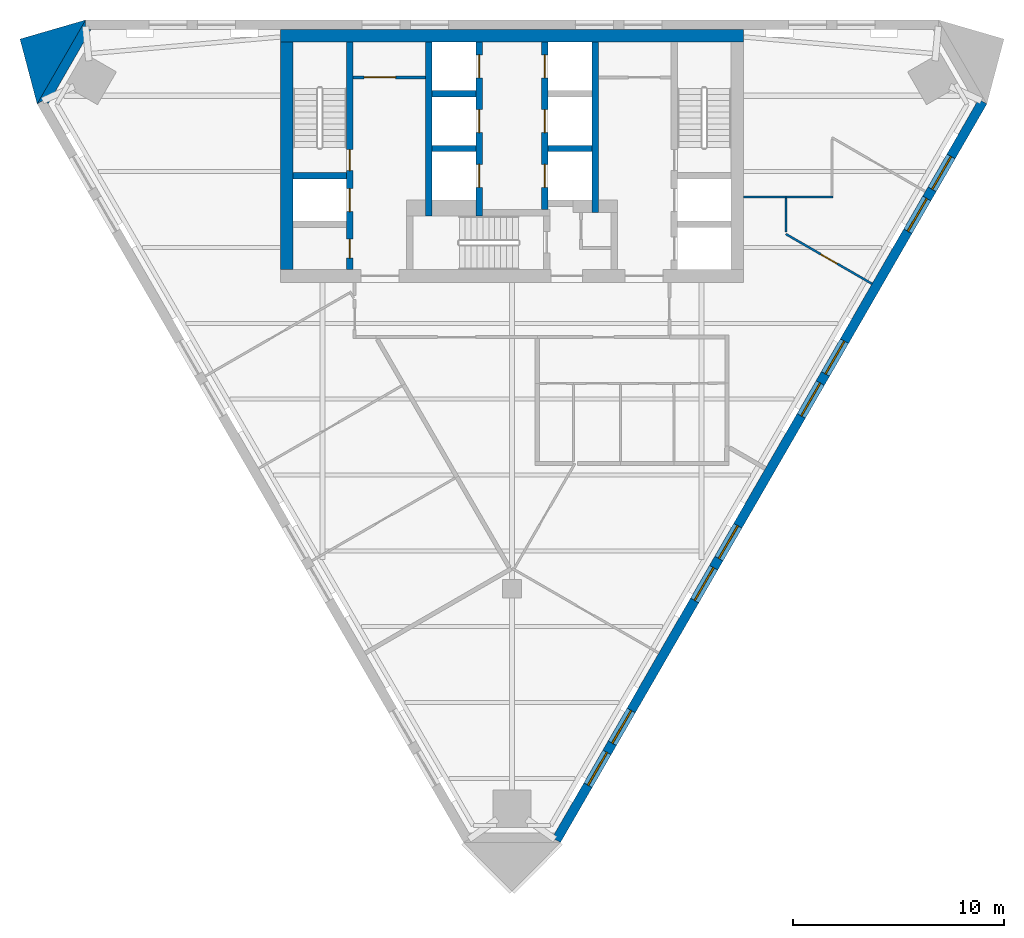
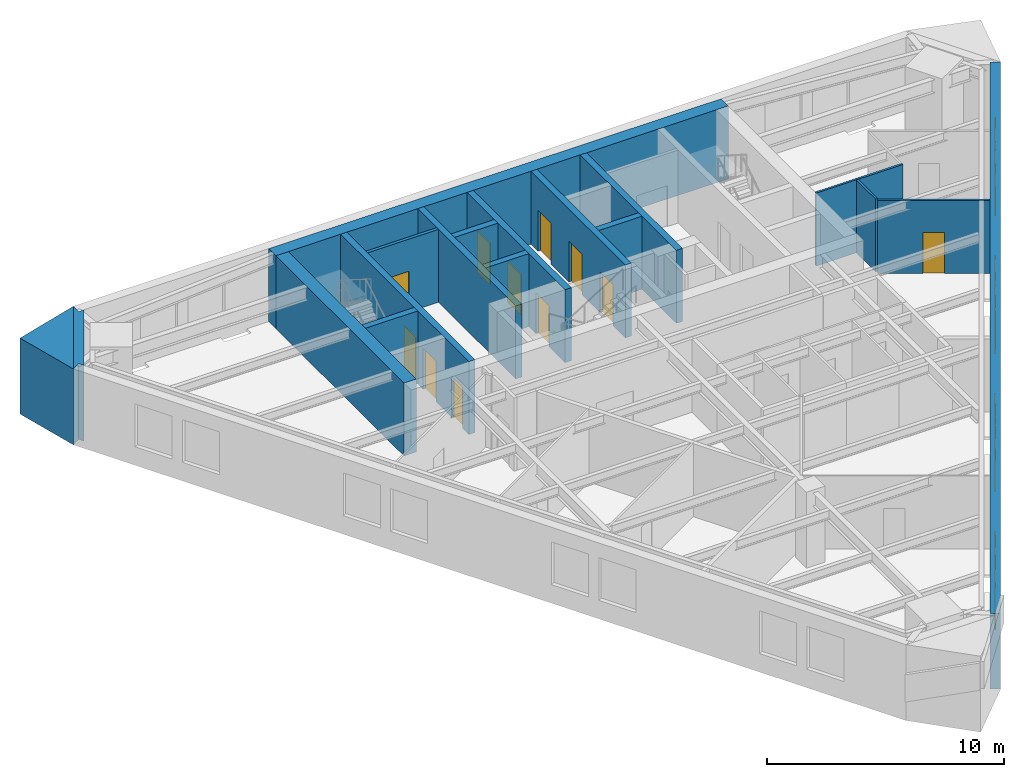
# One storey, part 4 of 7: 19 walls, 11 doors, 8 windows, 19 openings.
"""IFC4 building model written with IfcOpenShell, lengths in metres."""

from ifc_helpers import new_model, si_unit, direction, frame, frame_2d, origin, place, context, subcontext, project, spatial, polyline, rectangle, outline, extrude, material, layer, layer_set, type_object, element, fill, save


model = new_model("IFC4")

# Units and contexts
model_context = context("Model", 3, precision=1e-05, world=origin(), true_north=direction((0.0, 1.0)))
body_context = subcontext(model_context, "Body", "Model", "MODEL_VIEW")
ifc_project = project(units=[si_unit("LENGTHUNIT", "METRE"), si_unit("AREAUNIT", "SQUARE_METRE"), si_unit("VOLUMEUNIT", "CUBIC_METRE"), si_unit("PLANEANGLEUNIT", "RADIAN"), si_unit("MASSUNIT", "GRAM", prefix="KILO")], contexts=[model_context])

# Site, building, storey
site_placement = place(None, origin())
site = spatial("IfcSite", under=ifc_project, at=site_placement, CompositionType="ELEMENT")
building_placement = place(site_placement, origin())
building = spatial("IfcBuilding", under=site, at=building_placement, Name="Aloe Facet Convention Tower", CompositionType="ELEMENT")
storey_placement = place(building_placement, frame((0.0, 0.0, 155.89990234375)))
storey = spatial("IfcBuildingStorey", under=building, at=storey_placement, Name="L39", CompositionType="ELEMENT", Elevation=155.89990234375)

# Wall, opening, door
ifc_material_1 = material(Name="Concrete blockwork partition", Category="masonry")
ifc_layer_1 = layer(ifc_material_1, 0.14990234375)
ifc_layer_set_1 = layer_set([ifc_layer_1], Name="CR-W-PART150")
wall_type_1 = type_object("IfcWallType", Name="CR-W-PART150", PredefinedType="PARTITIONING", material=ifc_layer_set_1)
wall_1_placement = place(storey_placement, frame((72.449951171875, 132.27490234375, 0.0), z_axis=(0.0, 0.0, 1.0), x_axis=(1.0, 0.0, 0.0)))
wall_1 = element("IfcWall", 1, at=wall_1_placement, inside=storey, type_object=wall_type_1, Name="Core partition L39-007", PredefinedType="PARTITIONING", context=body_context, shape_type="SweptSolid", body=[
    extrude(rectangle(XDim=3.449951171875, YDim=0.14990234375, at=frame_2d((1.72509765625, 0.0))), origin(), (0.0, 0.0, 1.0), 3.75),
])
opening_1_placement = place(wall_1_placement, frame((0.52490234375, 0.0, 0.0)))
opening_1 = element("IfcOpeningElement", 2, at=opening_1_placement, cuts=wall_1, Name="Opening L39-CD14", PredefinedType="OPENING", context=body_context, shape_type="SweptSolid", body=[
    extrude(rectangle(XDim=1.5, YDim=2.10009765625, at=frame_2d((0.75, 1.050048828125))), frame((0.0, 0.0849609375, 0.0), z_axis=(0.0, -1.0, 0.0), x_axis=(1.0, 0.0, 0.0)), (0.0, 0.0, 1.0), 0.169921875),
])
ifc_material_2 = material(Name="Steel fire-resisting door set FD60", Category="steel")
door_type_1 = type_object("IfcDoorType", Name="CR-D-REFUGE-1500-FD60-DD", OperationType="DOUBLE_DOOR_DOUBLE_SWING", PredefinedType="DOOR", material=ifc_material_2)
door_1_placement = place(opening_1_placement, origin())
door_1 = element("IfcDoor", 3, at=door_1_placement, inside=storey, type_object=door_type_1, Name="Core door L39-CD14", OperationType="DOUBLE_DOOR_DOUBLE_SWING", OverallHeight=2.10009765625, OverallWidth=1.5, PredefinedType="DOOR", context=body_context, shape_type="SweptSolid", body=[
    extrude(rectangle(XDim=1.5, YDim=2.10009765625, at=frame_2d((0.75, 1.050048828125))), frame((0.0, 0.02490234375, 0.0), z_axis=(0.0, -1.0, 0.0), x_axis=(1.0, 0.0, 0.0)), (0.0, 0.0, 1.0), 0.050048828125),
])
fill(opening_1, door_1)

# Wall
ifc_material_3 = material(Name="Concrete C60/75", Category="concrete")
ifc_layer_2 = layer(ifc_material_3, 0.300048828125)
ifc_layer_set_2 = layer_set([ifc_layer_2], Name="CR-W-RC300-C6075")
wall_type_2 = type_object("IfcWallType", Name="CR-W-RC300-C6075", PredefinedType="SOLIDWALL", material=ifc_layer_set_2)
wall_2_placement = place(storey_placement, frame((69.60009765625, 127.60009765625, 0.0), z_axis=(0.0, 0.0, 1.0), x_axis=(1.0, 0.0, 0.0)))
element("IfcWall", 4, at=wall_2_placement, inside=storey, type_object=wall_type_2, Name="Core wall L39-004", PredefinedType="SOLIDWALL", context=body_context, shape_type="SweptSolid", body=[
    extrude(rectangle(XDim=2.5498046875, YDim=0.300048828125, at=frame_2d((1.27490234375, 0.0))), origin(), (0.0, 0.0, 1.0), 3.75),
])

# Wall, openings, doors
wall_3_placement = place(storey_placement, frame((72.300048828125, 133.949951171875, 0.0), z_axis=(0.0, 0.0, 1.0), x_axis=(0.0, -1.0, 0.0)))
wall_3 = element("IfcWall", 5, at=wall_3_placement, inside=storey, type_object=wall_type_2, Name="Core wall L39-006", PredefinedType="SOLIDWALL", context=body_context, shape_type="SweptSolid", body=[
    extrude(rectangle(XDim=10.800048828125, YDim=0.300048828125, at=frame_2d((5.39990234375, 0.0))), origin(), (0.0, 0.0, 1.0), 3.75),
])
opening_2_placement = place(wall_3_placement, frame((6.949951171875, 0.0, 0.0)))
opening_2 = element("IfcOpeningElement", 6, at=opening_2_placement, cuts=wall_3, Name="Opening LD-FF1-L39", PredefinedType="OPENING", context=body_context, shape_type="SweptSolid", body=[
    extrude(rectangle(XDim=1.10009765625, YDim=2.10009765625, at=frame_2d((0.550048828125, 1.050048828125))), frame((0.0, 0.16015625, 0.0), z_axis=(0.0, -1.0, 0.0), x_axis=(1.0, 0.0, 0.0)), (0.0, 0.0, 1.0), 0.320068359375),
])
opening_3_placement = place(wall_3_placement, frame((9.35009765625, 0.0, 0.0)))
opening_3 = element("IfcOpeningElement", 7, at=opening_3_placement, cuts=wall_3, Name="Opening L39-CD15", PredefinedType="OPENING", context=body_context, shape_type="SweptSolid", body=[
    extrude(rectangle(XDim=0.89990234375, YDim=2.10009765625, at=frame_2d((0.449951171875, 1.050048828125))), frame((0.0, 0.16015625, 0.0), z_axis=(0.0, -1.0, 0.0), x_axis=(1.0, 0.0, 0.0)), (0.0, 0.0, 1.0), 0.320068359375),
])
opening_4_placement = place(wall_3_placement, frame((5.10009765625, 0.0, 0.0)))
opening_4 = element("IfcOpeningElement", 8, at=opening_4_placement, cuts=wall_3, Name="Opening L39-CD16", PredefinedType="OPENING", context=body_context, shape_type="SweptSolid", body=[
    extrude(rectangle(XDim=1.0, YDim=2.10009765625, at=frame_2d((0.5, 1.050048828125))), frame((0.0, 0.16015625, 0.0), z_axis=(0.0, -1.0, 0.0), x_axis=(1.0, 0.0, 0.0)), (0.0, 0.0, 1.0), 0.320068359375),
])
ifc_material_4 = material(Name="Steel fire-resisting door set FD60", Category="steel")
door_type_2 = type_object("IfcDoorType", Name="CR-D-ROOM-900-FD60-SLEFT", OperationType="SINGLE_SWING_LEFT", PredefinedType="DOOR", material=ifc_material_4)
door_2_placement = place(opening_3_placement, origin())
door_2 = element("IfcDoor", 9, at=door_2_placement, inside=storey, type_object=door_type_2, Name="Core door L39-CD15", OperationType="SINGLE_SWING_LEFT", OverallHeight=2.10009765625, OverallWidth=0.89990234375, PredefinedType="DOOR", context=body_context, shape_type="SweptSolid", body=[
    extrude(rectangle(XDim=0.89990234375, YDim=2.10009765625, at=frame_2d((0.449951171875, 1.050048828125))), frame((0.0, 0.02490234375, 0.0), z_axis=(0.0, -1.0, 0.0), x_axis=(1.0, 0.0, 0.0)), (0.0, 0.0, 1.0), 0.050048828125),
])
fill(opening_3, door_2)
ifc_material_5 = material(Name="Steel fire-resisting door set FD120", Category="steel")
door_type_3 = type_object("IfcDoorType", Name="CR-D-STAIR-1000-FD120-SRIGHT", OperationType="SINGLE_SWING_RIGHT", PredefinedType="DOOR", material=ifc_material_5)
door_3_placement = place(opening_4_placement, origin())
door_3 = element("IfcDoor", 10, at=door_3_placement, inside=storey, type_object=door_type_3, Name="Core door L39-CD16", OperationType="SINGLE_SWING_RIGHT", OverallHeight=2.10009765625, OverallWidth=1.0, PredefinedType="DOOR", context=body_context, shape_type="SweptSolid", body=[
    extrude(rectangle(XDim=1.0, YDim=2.10009765625, at=frame_2d((0.5, 1.050048828125))), frame((0.0, 0.02490234375, 0.0), z_axis=(0.0, -1.0, 0.0), x_axis=(1.0, 0.0, 0.0)), (0.0, 0.0, 1.0), 0.050048828125),
])
fill(opening_4, door_3)
ifc_material_6 = material(Name="Stainless steel sliding landing door", Category="steel")
door_type_4 = type_object("IfcDoorType", Name="CR-LD-1100-FD120-_LEFT", OperationType="SLIDING_TO_LEFT", PredefinedType="DOOR", material=ifc_material_6)
door_4_placement = place(opening_2_placement, origin())
door_4 = element("IfcDoor", 11, at=door_4_placement, inside=storey, type_object=door_type_4, Name="Landing door FF1 L39", OperationType="SLIDING_TO_LEFT", OverallHeight=2.10009765625, OverallWidth=1.10009765625, PredefinedType="DOOR", context=body_context, shape_type="SweptSolid", body=[
    extrude(rectangle(XDim=1.10009765625, YDim=2.10009765625, at=frame_2d((0.550048828125, 1.050048828125))), frame((0.0, 0.02490234375, 0.0), z_axis=(0.0, -1.0, 0.0), x_axis=(1.0, 0.0, 0.0)), (0.0, 0.0, 1.0), 0.050048828125),
])
fill(opening_2, door_4)

# Walls
wall_4_placement = place(storey_placement, frame((76.050048828125, 133.949951171875, 0.0), z_axis=(0.0, 0.0, 1.0), x_axis=(0.0, -1.0, 0.0)))
element("IfcWall", 12, at=wall_4_placement, inside=storey, type_object=wall_type_2, Name="Core wall L39-010", PredefinedType="SOLIDWALL", context=body_context, shape_type="SweptSolid", body=[
    extrude(rectangle(XDim=8.25, YDim=0.300048828125, at=frame_2d((4.125, 0.0))), origin(), (0.0, 0.0, 1.0), 3.75),
])
for number, where, z_axis, x_axis, name in (
    (13, (76.199951171875, 131.5, 0.0), (0.0, 0.0, 1.0), (1.0, 0.0, 0.0), "Core wall L39-011"),
    (14, (76.199951171875, 128.89990234375, 0.0), (0.0, 0.0, 1.0), (1.0, 0.0, 0.0), "Core wall L39-012"),
):
    element("IfcWall", number, at=place(storey_placement, frame(where, z_axis=z_axis, x_axis=x_axis)), inside=storey, type_object=wall_type_2, Name=name, PredefinedType="SOLIDWALL", context=body_context, shape_type="SweptSolid", body=[
        extrude(rectangle(XDim=2.10009765625, YDim=0.300048828125, at=frame_2d((1.050048828125, 0.0))), origin(), (0.0, 0.0, 1.0), 3.75),
    ])

# Wall, openings, doors
wall_5_placement = place(storey_placement, frame((78.449951171875, 133.949951171875, 0.0), z_axis=(0.0, 0.0, 1.0), x_axis=(0.0, -1.0, 0.0)))
wall_5 = element("IfcWall", 15, at=wall_5_placement, inside=storey, type_object=wall_type_2, Name="Core wall L39-014", PredefinedType="SOLIDWALL", context=body_context, shape_type="SweptSolid", body=[
    extrude(rectangle(XDim=8.25, YDim=0.300048828125, at=frame_2d((4.125, 0.0))), origin(), (0.0, 0.0, 1.0), 3.75),
])
opening_5_placement = place(wall_5_placement, frame((0.60009765625, 0.0, 0.0)))
opening_5 = element("IfcOpeningElement", 16, at=opening_5_placement, cuts=wall_5, Name="Opening LD-B1-L39", PredefinedType="OPENING", context=body_context, shape_type="SweptSolid", body=[
    extrude(rectangle(XDim=1.10009765625, YDim=2.10009765625, at=frame_2d((0.550048828125, 1.050048828125))), frame((0.0, 0.16015625, 0.0), z_axis=(0.0, -1.0, 0.0), x_axis=(1.0, 0.0, 0.0)), (0.0, 0.0, 1.0), 0.320068359375),
])
opening_6_placement = place(wall_5_placement, frame((3.199951171875, 0.0, 0.0)))
opening_6 = element("IfcOpeningElement", 17, at=opening_6_placement, cuts=wall_5, Name="Opening LD-B2-L39", PredefinedType="OPENING", context=body_context, shape_type="SweptSolid", body=[
    extrude(rectangle(XDim=1.10009765625, YDim=2.10009765625, at=frame_2d((0.550048828125, 1.050048828125))), frame((0.0, 0.16015625, 0.0), z_axis=(0.0, -1.0, 0.0), x_axis=(1.0, 0.0, 0.0)), (0.0, 0.0, 1.0), 0.320068359375),
])
opening_7_placement = place(wall_5_placement, frame((5.800048828125, 0.0, 0.0)))
opening_7 = element("IfcOpeningElement", 18, at=opening_7_placement, cuts=wall_5, Name="Opening LD-B3-L39", PredefinedType="OPENING", context=body_context, shape_type="SweptSolid", body=[
    extrude(rectangle(XDim=1.10009765625, YDim=2.10009765625, at=frame_2d((0.550048828125, 1.050048828125))), frame((0.0, 0.16015625, 0.0), z_axis=(0.0, -1.0, 0.0), x_axis=(1.0, 0.0, 0.0)), (0.0, 0.0, 1.0), 0.320068359375),
])
ifc_material_7 = material(Name="Stainless steel sliding landing door", Category="steel")
door_type_5 = type_object("IfcDoorType", Name="CR-LD-1100-FD60-RIGHT", OperationType="SLIDING_TO_RIGHT", PredefinedType="DOOR", material=ifc_material_7)
door_5_placement = place(opening_5_placement, origin())
door_5 = element("IfcDoor", 19, at=door_5_placement, inside=storey, type_object=door_type_5, Name="Landing door B1 L39", OperationType="SLIDING_TO_RIGHT", OverallHeight=2.10009765625, OverallWidth=1.10009765625, PredefinedType="DOOR", context=body_context, shape_type="SweptSolid", body=[
    extrude(rectangle(XDim=1.10009765625, YDim=2.10009765625, at=frame_2d((0.550048828125, 1.050048828125))), frame((0.0, 0.02490234375, 0.0), z_axis=(0.0, -1.0, 0.0), x_axis=(1.0, 0.0, 0.0)), (0.0, 0.0, 1.0), 0.050048828125),
])
fill(opening_5, door_5)
door_6_placement = place(opening_6_placement, origin())
door_6 = element("IfcDoor", 20, at=door_6_placement, inside=storey, type_object=door_type_5, Name="Landing door B2 L39", OperationType="SLIDING_TO_RIGHT", OverallHeight=2.10009765625, OverallWidth=1.10009765625, PredefinedType="DOOR", context=body_context, shape_type="SweptSolid", body=[
    extrude(rectangle(XDim=1.10009765625, YDim=2.10009765625, at=frame_2d((0.550048828125, 1.050048828125))), frame((0.0, 0.02490234375, 0.0), z_axis=(0.0, -1.0, 0.0), x_axis=(1.0, 0.0, 0.0)), (0.0, 0.0, 1.0), 0.050048828125),
])
fill(opening_6, door_6)
door_7_placement = place(opening_7_placement, origin())
door_7 = element("IfcDoor", 21, at=door_7_placement, inside=storey, type_object=door_type_5, Name="Landing door B3 L39", OperationType="SLIDING_TO_RIGHT", OverallHeight=2.10009765625, OverallWidth=1.10009765625, PredefinedType="DOOR", context=body_context, shape_type="SweptSolid", body=[
    extrude(rectangle(XDim=1.10009765625, YDim=2.10009765625, at=frame_2d((0.550048828125, 1.050048828125))), frame((0.0, 0.02490234375, 0.0), z_axis=(0.0, -1.0, 0.0), x_axis=(1.0, 0.0, 0.0)), (0.0, 0.0, 1.0), 0.050048828125),
])
fill(opening_7, door_7)

wall_6_placement = place(storey_placement, frame((81.550048828125, 133.949951171875, 0.0), z_axis=(0.0, 0.0, 1.0), x_axis=(0.0, -1.0, 0.0)))
wall_6 = element("IfcWall", 22, at=wall_6_placement, inside=storey, type_object=wall_type_2, Name="Core wall L39-016", PredefinedType="SOLIDWALL", context=body_context, shape_type="SweptSolid", body=[
    extrude(rectangle(XDim=7.949951171875, YDim=0.300048828125, at=frame_2d((3.97509765625, 0.0))), origin(), (0.0, 0.0, 1.0), 3.75),
])
opening_8_placement = place(wall_6_placement, frame((0.60009765625, 0.0, 0.0)))
opening_8 = element("IfcOpeningElement", 23, at=opening_8_placement, cuts=wall_6, Name="Opening LD-B4-L39", PredefinedType="OPENING", context=body_context, shape_type="SweptSolid", body=[
    extrude(rectangle(XDim=1.10009765625, YDim=2.10009765625, at=frame_2d((0.550048828125, 1.050048828125))), frame((0.0, 0.16015625, 0.0), z_axis=(0.0, -1.0, 0.0), x_axis=(1.0, 0.0, 0.0)), (0.0, 0.0, 1.0), 0.320068359375),
])
opening_9_placement = place(wall_6_placement, frame((3.199951171875, 0.0, 0.0)))
opening_9 = element("IfcOpeningElement", 24, at=opening_9_placement, cuts=wall_6, Name="Opening LD-B5-L39", PredefinedType="OPENING", context=body_context, shape_type="SweptSolid", body=[
    extrude(rectangle(XDim=1.10009765625, YDim=2.10009765625, at=frame_2d((0.550048828125, 1.050048828125))), frame((0.0, 0.16015625, 0.0), z_axis=(0.0, -1.0, 0.0), x_axis=(1.0, 0.0, 0.0)), (0.0, 0.0, 1.0), 0.320068359375),
])
opening_10_placement = place(wall_6_placement, frame((5.800048828125, 0.0, 0.0)))
opening_10 = element("IfcOpeningElement", 25, at=opening_10_placement, cuts=wall_6, Name="Opening LD-B6-L39", PredefinedType="OPENING", context=body_context, shape_type="SweptSolid", body=[
    extrude(rectangle(XDim=1.10009765625, YDim=2.10009765625, at=frame_2d((0.550048828125, 1.050048828125))), frame((0.0, 0.16015625, 0.0), z_axis=(0.0, -1.0, 0.0), x_axis=(1.0, 0.0, 0.0)), (0.0, 0.0, 1.0), 0.320068359375),
])
ifc_material_8 = material(Name="Stainless steel sliding landing door", Category="steel")
door_type_6 = type_object("IfcDoorType", Name="CR-LD-1100-FD60-_LEFT", OperationType="SLIDING_TO_LEFT", PredefinedType="DOOR", material=ifc_material_8)
door_8_placement = place(opening_8_placement, origin())
door_8 = element("IfcDoor", 26, at=door_8_placement, inside=storey, type_object=door_type_6, Name="Landing door B4 L39", OperationType="SLIDING_TO_LEFT", OverallHeight=2.10009765625, OverallWidth=1.10009765625, PredefinedType="DOOR", context=body_context, shape_type="SweptSolid", body=[
    extrude(rectangle(XDim=1.10009765625, YDim=2.10009765625, at=frame_2d((0.550048828125, 1.050048828125))), frame((0.0, 0.02490234375, 0.0), z_axis=(0.0, -1.0, 0.0), x_axis=(1.0, 0.0, 0.0)), (0.0, 0.0, 1.0), 0.050048828125),
])
fill(opening_8, door_8)
door_9_placement = place(opening_9_placement, origin())
door_9 = element("IfcDoor", 27, at=door_9_placement, inside=storey, type_object=door_type_6, Name="Landing door B5 L39", OperationType="SLIDING_TO_LEFT", OverallHeight=2.10009765625, OverallWidth=1.10009765625, PredefinedType="DOOR", context=body_context, shape_type="SweptSolid", body=[
    extrude(rectangle(XDim=1.10009765625, YDim=2.10009765625, at=frame_2d((0.550048828125, 1.050048828125))), frame((0.0, 0.02490234375, 0.0), z_axis=(0.0, -1.0, 0.0), x_axis=(1.0, 0.0, 0.0)), (0.0, 0.0, 1.0), 0.050048828125),
])
fill(opening_9, door_9)
door_10_placement = place(opening_10_placement, origin())
door_10 = element("IfcDoor", 28, at=door_10_placement, inside=storey, type_object=door_type_6, Name="Landing door B6 L39", OperationType="SLIDING_TO_LEFT", OverallHeight=2.10009765625, OverallWidth=1.10009765625, PredefinedType="DOOR", context=body_context, shape_type="SweptSolid", body=[
    extrude(rectangle(XDim=1.10009765625, YDim=2.10009765625, at=frame_2d((0.550048828125, 1.050048828125))), frame((0.0, 0.02490234375, 0.0), z_axis=(0.0, -1.0, 0.0), x_axis=(1.0, 0.0, 0.0)), (0.0, 0.0, 1.0), 0.050048828125),
])
fill(opening_10, door_10)

# Walls
wall_7_placement = place(storey_placement, frame((81.699951171875, 128.89990234375, 0.0), z_axis=(0.0, 0.0, 1.0), x_axis=(1.0, 0.0, 0.0)))
element("IfcWall", 29, at=wall_7_placement, inside=storey, type_object=wall_type_2, Name="Core wall L39-019", PredefinedType="SOLIDWALL", context=body_context, shape_type="SweptSolid", body=[
    extrude(rectangle(XDim=2.10009765625, YDim=0.300048828125, at=frame_2d((1.050048828125, 0.0))), origin(), (0.0, 0.0, 1.0), 3.75),
])
wall_8_placement = place(storey_placement, frame((83.949951171875, 133.949951171875, 0.0), z_axis=(0.0, 0.0, 1.0), x_axis=(0.0, -1.0, 0.0)))
element("IfcWall", 30, at=wall_8_placement, inside=storey, type_object=wall_type_2, Name="Core wall L39-024", PredefinedType="SOLIDWALL", context=body_context, shape_type="SweptSolid", body=[
    extrude(rectangle(XDim=8.099853515625, YDim=0.300048828125, at=frame_2d((4.0498046875, 0.0))), origin(), (0.0, 0.0, 1.0), 3.75),
])
ifc_material_9 = material(Name="Concrete C60/75", Category="concrete")
ifc_layer_3 = layer(ifc_material_9, 0.60009765625)
ifc_layer_set_3 = layer_set([ifc_layer_3], Name="CR-W-RC600-C6075")
wall_type_3 = type_object("IfcWallType", Name="CR-W-RC600-C6075", PredefinedType="SOLIDWALL", material=ifc_layer_set_3)
wall_9_placement = place(storey_placement, frame((69.0, 134.25, 0.0), z_axis=(0.0, 0.0, 1.0), x_axis=(1.0, 0.0, 0.0)))
element("IfcWall", 31, at=wall_9_placement, inside=storey, type_object=wall_type_3, Name="Core wall L39-001", PredefinedType="SOLIDWALL", context=body_context, shape_type="SweptSolid", body=[
    extrude(rectangle(XDim=22.0, YDim=0.60009765625, at=frame_2d((11.0, 0.0))), origin(), (0.0, 0.0, 1.0), 3.75),
])
wall_10_placement = place(storey_placement, frame((69.300048828125, 133.949951171875, 0.0), z_axis=(0.0, 0.0, 1.0), x_axis=(0.0, -1.0, 0.0)))
element("IfcWall", 32, at=wall_10_placement, inside=storey, type_object=wall_type_3, Name="Core wall L39-002", PredefinedType="SOLIDWALL", context=body_context, shape_type="SweptSolid", body=[
    extrude(rectangle(XDim=10.800048828125, YDim=0.60009765625, at=frame_2d((5.39990234375, 0.0))), origin(), (0.0, 0.0, 1.0), 3.75),
])
ifc_material_10 = material(Name="Precast concrete C40/50", Category="concrete")
ifc_layer_4 = layer(ifc_material_10, 0.449951171875)
ifc_layer_set_4 = layer_set([ifc_layer_4], Name="EV-WALL-PIER")
wall_type_4 = type_object("IfcWallType", Name="EV-WALL-PIER", PredefinedType="SOLIDWALL", material=ifc_layer_set_4)
wall_11_placement = place(storey_placement, frame((0.0, 0.0, -0.14990234375)))
element("IfcWall", 33, at=wall_11_placement, inside=storey, type_object=wall_type_4, Name="EP-L39-A", PredefinedType="SOLIDWALL", context=body_context, shape_type="SweptSolid", body=[
    extrude(outline(polyline([(59.7568359375, 135.0), (59.7568359375, 134.550048828125), (60.016845703125, 134.550048828125), (57.9765625, 131.016357421875), (57.8466796875, 131.2412109375), (57.45703125, 131.016357421875), (59.7568359375, 135.0)])), origin(), (0.0, 0.0, 1.0), 3.89990234375),
])
ifc_material_11 = material(Name="Precast concrete C40/50", Category="concrete")
ifc_layer_5 = layer(ifc_material_11, 3.947998046875)
ifc_layer_set_5 = layer_set([ifc_layer_5], Name="EV-WALL-SPINE")
wall_type_5 = type_object("IfcWallType", Name="EV-WALL-SPINE", PredefinedType="SOLIDWALL", material=ifc_layer_set_5)
wall_12_placement = place(storey_placement, frame((0.0, 0.0, -0.14990234375)))
element("IfcWall", 34, at=wall_12_placement, inside=storey, type_object=wall_type_5, Name="SP-NW-L39", PredefinedType="SOLIDWALL", context=body_context, shape_type="SweptSolid", body=[
    extrude(outline(polyline([(59.7568359375, 135.0), (56.6435546875, 134.095703125), (57.45703125, 131.016357421875), (59.7568359375, 135.0)])), origin(), (0.0, 0.0, 1.0), 3.89990234375),
])

# Wall, openings, windows
ifc_material_12 = material(Name="Precast concrete C40/50", Category="concrete")
ifc_layer_6 = layer(ifc_material_12, 0.449951171875)
ifc_layer_set_6 = layer_set([ifc_layer_6], Name="EV-WALL-STONE")
wall_type_6 = type_object("IfcWallType", Name="EV-WALL-STONE", PredefinedType="SOLIDWALL", material=ifc_layer_set_6)
wall_13_placement = place(storey_placement, frame((82.105224609375, 96.066650390625, -0.14990234375), z_axis=(0.0, 0.0, 1.0), x_axis=(0.499997369791, 0.866026922331, 0.0)))
wall_13 = element("IfcWall", 35, at=wall_13_placement, inside=storey, type_object=wall_type_6, Name="EW-L39-E01", PredefinedType="SOLIDWALL", context=body_context, shape_type="SweptSolid", body=[
    extrude(outline(polyline([(40.486083984375, 0.0), (40.486083984375, 3.89990234375), (0.0, 3.89990234375), (0.0, 0.0), (40.486083984375, 0.0)])), frame((0.0, 0.22509765625, 0.0), z_axis=(0.0, -1.0, 0.0), x_axis=(1.0, 0.0, 0.0)), (0.0, 0.0, 1.0), 0.449951171875),
])
opening_11_placement = place(wall_13_placement, frame((3.0107421875, 0.0, 0.949951171875)))
opening_11 = element("IfcOpeningElement", 36, at=opening_11_placement, cuts=wall_13, Name="Opening W-L39-E01", PredefinedType="OPENING", context=body_context, shape_type="SweptSolid", body=[
    extrude(rectangle(XDim=1.800048828125, YDim=2.199951171875, at=frame_2d((0.89990234375, 1.10009765625))), frame((0.0, 0.23486328125, 0.0), z_axis=(0.0, -1.0, 0.0), x_axis=(1.0, 0.0, 0.0)), (0.0, 0.0, 1.0), 0.469970703125),
])
opening_12_placement = place(wall_13_placement, frame((5.310791015625, 0.0, 0.949951171875)))
opening_12 = element("IfcOpeningElement", 37, at=opening_12_placement, cuts=wall_13, Name="Opening W-L39-E02", PredefinedType="OPENING", context=body_context, shape_type="SweptSolid", body=[
    extrude(rectangle(XDim=1.800048828125, YDim=2.199951171875, at=frame_2d((0.89990234375, 1.10009765625))), frame((0.0, 0.23486328125, 0.0), z_axis=(0.0, -1.0, 0.0), x_axis=(1.0, 0.0, 0.0)), (0.0, 0.0, 1.0), 0.469970703125),
])
opening_13_placement = place(wall_13_placement, frame((13.13232421875, 0.0, 0.949951171875)))
opening_13 = element("IfcOpeningElement", 38, at=opening_13_placement, cuts=wall_13, Name="Opening W-L39-E03", PredefinedType="OPENING", context=body_context, shape_type="SweptSolid", body=[
    extrude(rectangle(XDim=1.800048828125, YDim=2.199951171875, at=frame_2d((0.89990234375, 1.10009765625))), frame((0.0, 0.23486328125, 0.0), z_axis=(0.0, -1.0, 0.0), x_axis=(1.0, 0.0, 0.0)), (0.0, 0.0, 1.0), 0.469970703125),
])
opening_14_placement = place(wall_13_placement, frame((15.432373046875, 0.0, 0.949951171875)))
opening_14 = element("IfcOpeningElement", 39, at=opening_14_placement, cuts=wall_13, Name="Opening W-L39-E04", PredefinedType="OPENING", context=body_context, shape_type="SweptSolid", body=[
    extrude(rectangle(XDim=1.800048828125, YDim=2.199951171875, at=frame_2d((0.89990234375, 1.10009765625))), frame((0.0, 0.23486328125, 0.0), z_axis=(0.0, -1.0, 0.0), x_axis=(1.0, 0.0, 0.0)), (0.0, 0.0, 1.0), 0.469970703125),
])
opening_15_placement = place(wall_13_placement, frame((23.25390625, 0.0, 0.949951171875)))
opening_15 = element("IfcOpeningElement", 40, at=opening_15_placement, cuts=wall_13, Name="Opening W-L39-E05", PredefinedType="OPENING", context=body_context, shape_type="SweptSolid", body=[
    extrude(rectangle(XDim=1.800048828125, YDim=2.199951171875, at=frame_2d((0.89990234375, 1.10009765625))), frame((0.0, 0.23486328125, 0.0), z_axis=(0.0, -1.0, 0.0), x_axis=(1.0, 0.0, 0.0)), (0.0, 0.0, 1.0), 0.469970703125),
])
opening_16_placement = place(wall_13_placement, frame((25.553955078125, 0.0, 0.949951171875)))
opening_16 = element("IfcOpeningElement", 41, at=opening_16_placement, cuts=wall_13, Name="Opening W-L39-E06", PredefinedType="OPENING", context=body_context, shape_type="SweptSolid", body=[
    extrude(rectangle(XDim=1.800048828125, YDim=2.199951171875, at=frame_2d((0.89990234375, 1.10009765625))), frame((0.0, 0.23486328125, 0.0), z_axis=(0.0, -1.0, 0.0), x_axis=(1.0, 0.0, 0.0)), (0.0, 0.0, 1.0), 0.469970703125),
])
opening_17_placement = place(wall_13_placement, frame((33.37548828125, 0.0, 0.949951171875)))
opening_17 = element("IfcOpeningElement", 42, at=opening_17_placement, cuts=wall_13, Name="Opening W-L39-E07", PredefinedType="OPENING", context=body_context, shape_type="SweptSolid", body=[
    extrude(rectangle(XDim=1.800048828125, YDim=2.199951171875, at=frame_2d((0.89990234375, 1.10009765625))), frame((0.0, 0.23486328125, 0.0), z_axis=(0.0, -1.0, 0.0), x_axis=(1.0, 0.0, 0.0)), (0.0, 0.0, 1.0), 0.469970703125),
])
opening_18_placement = place(wall_13_placement, frame((35.67529296875, 0.0, 0.949951171875)))
opening_18 = element("IfcOpeningElement", 43, at=opening_18_placement, cuts=wall_13, Name="Opening W-L39-E08", PredefinedType="OPENING", context=body_context, shape_type="SweptSolid", body=[
    extrude(rectangle(XDim=1.800048828125, YDim=2.199951171875, at=frame_2d((0.89990234375, 1.10009765625))), frame((0.0, 0.23486328125, 0.0), z_axis=(0.0, -1.0, 0.0), x_axis=(1.0, 0.0, 0.0)), (0.0, 0.0, 1.0), 0.469970703125),
])
ifc_material_13 = material(Name="Aluminium frame, clear double glazing", Category="aluminium")
window_type = type_object("IfcWindowType", Name="EV-WIN-O18", PartitioningType="SINGLE_PANEL", PredefinedType="WINDOW", material=ifc_material_13)
window_1_placement = place(opening_11_placement, origin())
window_1 = element("IfcWindow", 44, at=window_1_placement, inside=storey, type_object=window_type, Name="W-L39-E01", OverallHeight=2.199951171875, OverallWidth=1.800048828125, PartitioningType="SINGLE_PANEL", PredefinedType="WINDOW", context=body_context, shape_type="SweptSolid", body=[
    extrude(rectangle(XDim=1.800048828125, YDim=2.199951171875, at=frame_2d((0.89990234375, 1.10009765625))), frame((0.0, 0.030029296875, 0.0), z_axis=(0.0, -1.0, 0.0), x_axis=(1.0, 0.0, 0.0)), (0.0, 0.0, 1.0), 0.06005859375),
])
fill(opening_11, window_1)
window_2_placement = place(opening_12_placement, origin())
window_2 = element("IfcWindow", 45, at=window_2_placement, inside=storey, type_object=window_type, Name="W-L39-E02", OverallHeight=2.199951171875, OverallWidth=1.800048828125, PartitioningType="SINGLE_PANEL", PredefinedType="WINDOW", context=body_context, shape_type="SweptSolid", body=[
    extrude(rectangle(XDim=1.800048828125, YDim=2.199951171875, at=frame_2d((0.89990234375, 1.10009765625))), frame((0.0, 0.030029296875, 0.0), z_axis=(0.0, -1.0, 0.0), x_axis=(1.0, 0.0, 0.0)), (0.0, 0.0, 1.0), 0.06005859375),
])
fill(opening_12, window_2)
window_3_placement = place(opening_13_placement, origin())
window_3 = element("IfcWindow", 46, at=window_3_placement, inside=storey, type_object=window_type, Name="W-L39-E03", OverallHeight=2.199951171875, OverallWidth=1.800048828125, PartitioningType="SINGLE_PANEL", PredefinedType="WINDOW", context=body_context, shape_type="SweptSolid", body=[
    extrude(rectangle(XDim=1.800048828125, YDim=2.199951171875, at=frame_2d((0.89990234375, 1.10009765625))), frame((0.0, 0.030029296875, 0.0), z_axis=(0.0, -1.0, 0.0), x_axis=(1.0, 0.0, 0.0)), (0.0, 0.0, 1.0), 0.06005859375),
])
fill(opening_13, window_3)
window_4_placement = place(opening_14_placement, origin())
window_4 = element("IfcWindow", 47, at=window_4_placement, inside=storey, type_object=window_type, Name="W-L39-E04", OverallHeight=2.199951171875, OverallWidth=1.800048828125, PartitioningType="SINGLE_PANEL", PredefinedType="WINDOW", context=body_context, shape_type="SweptSolid", body=[
    extrude(rectangle(XDim=1.800048828125, YDim=2.199951171875, at=frame_2d((0.89990234375, 1.10009765625))), frame((0.0, 0.030029296875, 0.0), z_axis=(0.0, -1.0, 0.0), x_axis=(1.0, 0.0, 0.0)), (0.0, 0.0, 1.0), 0.06005859375),
])
fill(opening_14, window_4)
window_5_placement = place(opening_15_placement, origin())
window_5 = element("IfcWindow", 48, at=window_5_placement, inside=storey, type_object=window_type, Name="W-L39-E05", OverallHeight=2.199951171875, OverallWidth=1.800048828125, PartitioningType="SINGLE_PANEL", PredefinedType="WINDOW", context=body_context, shape_type="SweptSolid", body=[
    extrude(rectangle(XDim=1.800048828125, YDim=2.199951171875, at=frame_2d((0.89990234375, 1.10009765625))), frame((0.0, 0.030029296875, 0.0), z_axis=(0.0, -1.0, 0.0), x_axis=(1.0, 0.0, 0.0)), (0.0, 0.0, 1.0), 0.06005859375),
])
fill(opening_15, window_5)
window_6_placement = place(opening_16_placement, origin())
window_6 = element("IfcWindow", 49, at=window_6_placement, inside=storey, type_object=window_type, Name="W-L39-E06", OverallHeight=2.199951171875, OverallWidth=1.800048828125, PartitioningType="SINGLE_PANEL", PredefinedType="WINDOW", context=body_context, shape_type="SweptSolid", body=[
    extrude(rectangle(XDim=1.800048828125, YDim=2.199951171875, at=frame_2d((0.89990234375, 1.10009765625))), frame((0.0, 0.030029296875, 0.0), z_axis=(0.0, -1.0, 0.0), x_axis=(1.0, 0.0, 0.0)), (0.0, 0.0, 1.0), 0.06005859375),
])
fill(opening_16, window_6)
window_7_placement = place(opening_17_placement, origin())
window_7 = element("IfcWindow", 50, at=window_7_placement, inside=storey, type_object=window_type, Name="W-L39-E07", OverallHeight=2.199951171875, OverallWidth=1.800048828125, PartitioningType="SINGLE_PANEL", PredefinedType="WINDOW", context=body_context, shape_type="SweptSolid", body=[
    extrude(rectangle(XDim=1.800048828125, YDim=2.199951171875, at=frame_2d((0.89990234375, 1.10009765625))), frame((0.0, 0.030029296875, 0.0), z_axis=(0.0, -1.0, 0.0), x_axis=(1.0, 0.0, 0.0)), (0.0, 0.0, 1.0), 0.06005859375),
])
fill(opening_17, window_7)
window_8_placement = place(opening_18_placement, origin())
window_8 = element("IfcWindow", 51, at=window_8_placement, inside=storey, type_object=window_type, Name="W-L39-E08", OverallHeight=2.199951171875, OverallWidth=1.800048828125, PartitioningType="SINGLE_PANEL", PredefinedType="WINDOW", context=body_context, shape_type="SweptSolid", body=[
    extrude(rectangle(XDim=1.800048828125, YDim=2.199951171875, at=frame_2d((0.89990234375, 1.10009765625))), frame((0.0, 0.030029296875, 0.0), z_axis=(0.0, -1.0, 0.0), x_axis=(1.0, 0.0, 0.0)), (0.0, 0.0, 1.0), 0.06005859375),
])
fill(opening_18, window_8)

# Wall, opening, door
ifc_material_14 = material(Name="Gypsum board partition on steel studs", Category="steel")
ifc_layer_7 = layer(ifc_material_14, 0.10009765625)
ifc_layer_set_7 = layer_set([ifc_layer_7], Name="IN-W-PART")
wall_type_7 = type_object("IfcWallType", Name="IN-W-PART", PredefinedType="PARTITIONING", material=ifc_layer_set_7)
wall_14_placement = place(storey_placement, frame((93.0, 124.838623046875, 0.0), z_axis=(0.0, 0.0, 1.0), x_axis=(0.866028145587, -0.499995251029, 0.0)))
wall_14 = element("IfcWall", 52, at=wall_14_placement, inside=storey, type_object=wall_type_7, Name="Partition L39-W038", PredefinedType="PARTITIONING", context=body_context, shape_type="SweptSolid", body=[
    extrude(rectangle(XDim=4.7255859375, YDim=0.10009765625, at=frame_2d((2.36279296875, 0.0))), origin(), (0.0, 0.0, 1.0), 3.75),
])
opening_19_placement = place(wall_14_placement, frame((1.912841796875, 0.0, 0.0)))
opening_19 = element("IfcOpeningElement", 53, at=opening_19_placement, cuts=wall_14, Name="Opening L39-011", PredefinedType="OPENING", context=body_context, shape_type="SweptSolid", body=[
    extrude(rectangle(XDim=0.89990234375, YDim=2.10009765625, at=frame_2d((0.449951171875, 1.050048828125))), frame((0.0, 0.06005859375, 0.0), z_axis=(0.0, -1.0, 0.0), x_axis=(1.0, 0.0, 0.0)), (0.0, 0.0, 1.0), 0.1201171875),
])
ifc_material_15 = material(Name="Timber door", Category="wood")
door_type_7 = type_object("IfcDoorType", Name="IN-OFF-D-ROOM", OperationType="SINGLE_SWING_LEFT", PredefinedType="DOOR", material=ifc_material_15)
door_11_placement = place(opening_19_placement, origin())
door_11 = element("IfcDoor", 54, at=door_11_placement, inside=storey, type_object=door_type_7, Name="Door L39-011", OperationType="SINGLE_SWING_LEFT", OverallHeight=2.10009765625, OverallWidth=0.89990234375, PredefinedType="DOOR", context=body_context, shape_type="SweptSolid", body=[
    extrude(rectangle(XDim=0.89990234375, YDim=2.10009765625, at=frame_2d((0.449951171875, 1.050048828125))), frame((0.0, 0.02490234375, 0.0), z_axis=(0.0, -1.0, 0.0), x_axis=(1.0, 0.0, 0.0)), (0.0, 0.0, 1.0), 0.050048828125),
])
fill(opening_19, door_11)

# Walls
wall_15_placement = place(storey_placement, frame((93.0, 124.92529296875, 0.0), z_axis=(0.0, 0.0, 1.0), x_axis=(0.0, 1.0, 0.0)))
element("IfcWall", 55, at=wall_15_placement, inside=storey, type_object=wall_type_7, Name="Partition L39-W041", PredefinedType="PARTITIONING", context=body_context, shape_type="SweptSolid", body=[
    extrude(rectangle(XDim=1.624755859375, YDim=0.10009765625, at=frame_2d((0.8125, 0.0))), origin(), (0.0, 0.0, 1.0), 3.75),
])
wall_16_placement = place(storey_placement, frame((91.0, 126.60009765625, 0.0), z_axis=(0.0, 0.0, 1.0), x_axis=(1.0, 0.0, 0.0)))
element("IfcWall", 56, at=wall_16_placement, inside=storey, type_object=wall_type_7, Name="Partition L39-W042", PredefinedType="PARTITIONING", context=body_context, shape_type="SweptSolid", body=[
    extrude(rectangle(XDim=2.0, YDim=0.10009765625, at=frame_2d((1.0, 0.0))), origin(), (0.0, 0.0, 1.0), 3.75),
])
wall_17_placement = place(storey_placement, frame((93.0, 126.60009765625, 0.0), z_axis=(0.0, 0.0, 1.0), x_axis=(1.0, 0.0, 0.0)))
element("IfcWall", 57, at=wall_17_placement, inside=storey, type_object=wall_type_7, Name="Partition L39-W043", PredefinedType="PARTITIONING", context=body_context, shape_type="SweptSolid", body=[
    extrude(rectangle(XDim=2.232177734375, YDim=0.10009765625, at=frame_2d((1.1162109375, 0.0))), origin(), (0.0, 0.0, 1.0), 3.75),
])

save(model, "model.ifc")
